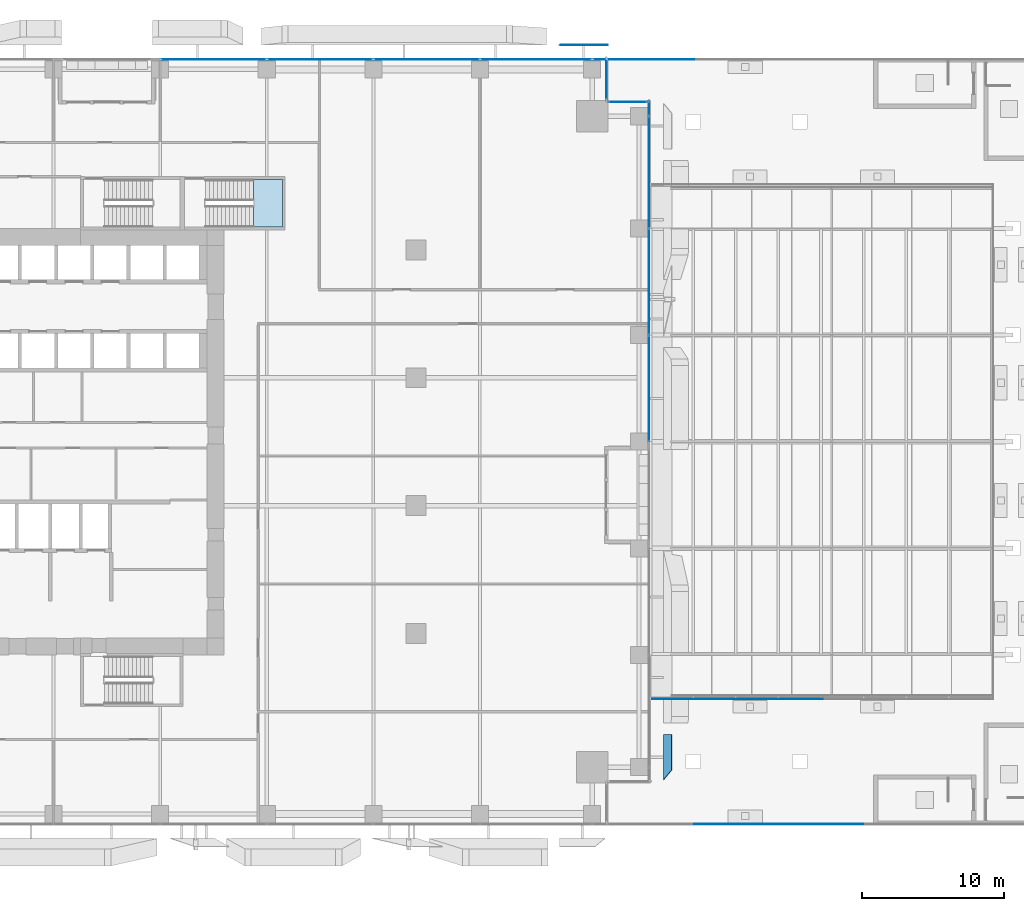
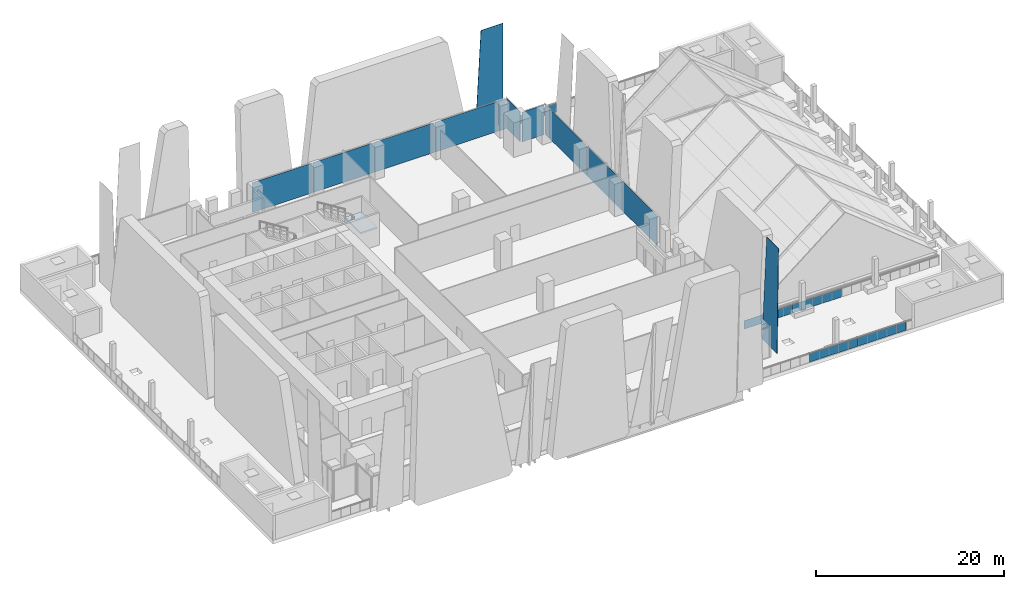
# One storey, part 31 of 46: 18 plates, 1 slab, 5 elements without a shape of their own.
"""IFC4 building model written with IfcOpenShell, lengths in metres."""

from ifc_helpers import new_model, si_unit, direction, frame, origin, origin_2d, place, context, subcontext, project, spatial, polyline, rectangle, outline, extrude, source, transform, mapped, material, layer, layer_set, type_object, element, aggregate, save


model = new_model("IFC4")

# Units and contexts
model_context = context("Model", 3, precision=1e-05, world=origin(), true_north=direction((0.0, 1.0)))
body_context = subcontext(model_context, "Body", "Model", "MODEL_VIEW")
ifc_project = project(units=[si_unit("LENGTHUNIT", "METRE"), si_unit("AREAUNIT", "SQUARE_METRE"), si_unit("VOLUMEUNIT", "CUBIC_METRE"), si_unit("PLANEANGLEUNIT", "RADIAN"), si_unit("MASSUNIT", "GRAM", prefix="KILO")], contexts=[model_context])

# Site, building, storey
site_placement = place(None, origin())
site = spatial("IfcSite", under=ifc_project, at=site_placement, CompositionType="ELEMENT")
building_placement = place(site_placement, origin())
building = spatial("IfcBuilding", under=site, at=building_placement, Name="Khomas Fold Tower", CompositionType="ELEMENT")
storey_placement = place(building_placement, frame((0.0, 0.0, 33.0)))
storey = spatial("IfcBuildingStorey", under=building, at=storey_placement, Name="L06", CompositionType="ELEMENT", Elevation=33.0)

# Plates
ifc_material_1 = material(Name="Clear laminated glass", Category="glass")
ifc_layer_1 = layer(ifc_material_1, 0.0400390625)
ifc_layer_set_1 = layer_set([ifc_layer_1], Name="Clear laminated glass")
plate_type_1 = type_object("IfcPlateType", Name="SK-Clear laminated glass leaf", PredefinedType="SHEET", material=ifc_layer_set_1)
plate_1_placement = place(storey_placement, frame((54.89990234375, 6.39990234375, 0.0), z_axis=(-0.99904235518, 0.0, 0.043753543365), x_axis=(0.0, -1.0, 0.0)))
element("IfcPlate", 1, at=plate_1_placement, inside=storey, type_object=plate_type_1, Name="OUTER SKIN glass L06 EG098-1", PredefinedType="SHEET", context=body_context, shape_type="SweptSolid", body=[
    extrude(outline(polyline([(0.0, 0.0), (3.19970703125, 0.0), (2.513671875, 13.062558119247585), (0.0, 13.062558119247585), (0.0, 0.0)])), origin(), (0.0, 0.0, -1.0), 0.0400390625),
])
plate_2_placement = place(storey_placement, frame((47.600341796875, 54.93994140625, 0.0), z_axis=(0.0, 1.0, 0.0), x_axis=(0.052478427046, 0.0, 0.998622057985)))
element("IfcPlate", 2, at=plate_2_placement, inside=storey, type_object=plate_type_1, Name="OUTER SKIN glass L06 NG107-2", PredefinedType="SHEET", context=body_context, shape_type="SweptSolid", body=[
    extrude(outline(polyline([(0.0, 0.0), (13.068055851333002, 0.0), (13.21047533254429, 2.7101276358800277), (0.17840871499345004, 3.3949736712512943), (0.0, 0.0)])), origin(), (0.0, 0.0, -1.0), 0.0400390625),
])

# Curtain wall, plate
ifc_material_2 = material(Name="Aluminium framed double glazing", Category="aluminium")
curtain_wall_type = type_object("IfcCurtainWallType", Name="SK-Unitised clear-glass wall, growing floors CW1", PredefinedType="NOTDEFINED", material=ifc_material_2)
curtain_wall_1_placement = place(storey_placement, origin())
curtain_wall_1 = element("IfcCurtainWall", 3, at=curtain_wall_1_placement, inside=storey, type_object=curtain_wall_type, Name="CW1 run L06 06-0", PredefinedType="NOTDEFINED")
ifc_material_3 = material(Name="Clear double glazed unit")
ifc_layer_2 = layer(ifc_material_3, 0.031982421875)
ifc_layer_set_2 = layer_set([ifc_layer_2], Name="Clear double glazed unit")
plate_type_2 = type_object("IfcPlateType", Name="SK-Unitised clear-glass wall, growing floors glass panel CW1-P", PredefinedType="CURTAIN_PANEL", material=ifc_layer_set_2)
shared_shape_1 = source(origin(), body_context, "Body", "SweptSolid", [
    extrude(rectangle(XDim=0.81005859375, YDim=0.031982421875, at=origin_2d()), origin(), (0.0, 0.0, 1.0), 3.8798828125),
])
plate_3_placement = place(storey_placement, frame((50.3349609375, 53.89990234375, 0.0), z_axis=(0.0, 0.0, 1.0), x_axis=(-1.0, 0.0, 0.0)))
plate_3 = element("IfcPlate", 4, at=plate_3_placement, type_object=plate_type_2, Name="CW1 glass panel 1", PredefinedType="CURTAIN_PANEL", context=body_context, shape_type="MappedRepresentation", body=[
    mapped(shared_shape_1, transform((0.0, 0.0, 0.0))),
])

curtain_wall_2_placement = place(storey_placement, origin())
curtain_wall_2 = element("IfcCurtainWall", 5, at=curtain_wall_2_placement, inside=storey, type_object=curtain_wall_type, Name="CW1 run L06 03-1", PredefinedType="NOTDEFINED")
shared_shape_2 = source(origin(), body_context, "Body", "SweptSolid", [
    extrude(rectangle(XDim=7.840087890625, YDim=0.031982421875, at=origin_2d()), origin(), (0.0, 0.0, 1.0), 3.8798828125),
])
plate_4_placement = place(storey_placement, frame((53.89990234375, 45.949951171875, 0.0), z_axis=(0.0, 0.0, 1.0), x_axis=(0.0, 1.0, 0.0)))
plate_4 = element("IfcPlate", 6, at=plate_4_placement, type_object=plate_type_2, Name="CW1 glass panel 4", PredefinedType="CURTAIN_PANEL", context=body_context, shape_type="MappedRepresentation", body=[
    mapped(shared_shape_2, transform((0.0, 0.0, 0.0))),
])

# Plate
plate_5_placement = place(storey_placement, frame((45.949951171875, 53.89990234375, 0.0), z_axis=(0.0, 0.0, 1.0), x_axis=(-1.0, 0.0, 0.0)))
plate_5 = element("IfcPlate", 7, at=plate_5_placement, type_object=plate_type_2, Name="CW1 glass panel 2", PredefinedType="CURTAIN_PANEL", context=body_context, shape_type="MappedRepresentation", body=[
    mapped(shared_shape_2, transform((0.0, 0.0, 0.0))),
])

shared_shape_3 = source(origin(), body_context, "Body", "SweptSolid", [
    extrude(rectangle(XDim=7.43994140625, YDim=0.031982421875, at=origin_2d()), origin(), (0.0, 0.0, 1.0), 3.8798828125),
])
plate_6_placement = place(storey_placement, frame((53.89990234375, 30.75, 0.0), z_axis=(0.0, 0.0, 1.0), x_axis=(0.0, 1.0, 0.0)))
plate_6 = element("IfcPlate", 8, at=plate_6_placement, type_object=plate_type_2, Name="CW1 glass panel 2", PredefinedType="CURTAIN_PANEL", context=body_context, shape_type="MappedRepresentation", body=[
    mapped(shared_shape_3, transform((0.0, 0.0, 0.0))),
])

plate_7_placement = place(storey_placement, frame((53.89990234375, 38.25, 0.0), z_axis=(0.0, 0.0, 1.0), x_axis=(0.0, 1.0, 0.0)))
plate_7 = element("IfcPlate", 9, at=plate_7_placement, type_object=plate_type_2, Name="CW1 glass panel 3", PredefinedType="CURTAIN_PANEL", context=body_context, shape_type="MappedRepresentation", body=[
    mapped(shared_shape_3, transform((0.0, 0.0, 0.0))),
])

plate_8_placement = place(storey_placement, frame((38.25, 53.89990234375, 0.0), z_axis=(0.0, 0.0, 1.0), x_axis=(-1.0, 0.0, 0.0)))
plate_8 = element("IfcPlate", 10, at=plate_8_placement, type_object=plate_type_2, Name="CW1 glass panel 3", PredefinedType="CURTAIN_PANEL", context=body_context, shape_type="MappedRepresentation", body=[
    mapped(shared_shape_3, transform((0.0, 0.0, 0.0))),
])

plate_9_placement = place(storey_placement, frame((30.75, 53.89990234375, 0.0), z_axis=(0.0, 0.0, 1.0), x_axis=(-1.0, 0.0, 0.0)))
plate_9 = element("IfcPlate", 11, at=plate_9_placement, type_object=plate_type_2, Name="CW1 glass panel 4", PredefinedType="CURTAIN_PANEL", context=body_context, shape_type="MappedRepresentation", body=[
    mapped(shared_shape_3, transform((0.0, 0.0, 0.0))),
])

plate_10_placement = place(storey_placement, frame((23.25, 53.89990234375, 0.0), z_axis=(0.0, 0.0, 1.0), x_axis=(-1.0, 0.0, 0.0)))
plate_10 = element("IfcPlate", 12, at=plate_10_placement, type_object=plate_type_2, Name="CW1 glass panel 5", PredefinedType="CURTAIN_PANEL", context=body_context, shape_type="MappedRepresentation", body=[
    mapped(shared_shape_3, transform((0.0, 0.0, 0.0))),
])

aggregate(curtain_wall_1, [plate_3, plate_5, plate_8, plate_9, plate_10])

shared_shape_4 = source(origin(), body_context, "Body", "SweptSolid", [
    extrude(rectangle(XDim=1.010009765625, YDim=0.031982421875, at=origin_2d()), origin(), (0.0, 0.0, 1.0), 3.8798828125),
])
plate_11_placement = place(storey_placement, frame((53.89990234375, 50.43505859375, 0.0), z_axis=(0.0, 0.0, 1.0), x_axis=(0.0, 1.0, 0.0)))
plate_11 = element("IfcPlate", 13, at=plate_11_placement, type_object=plate_type_2, Name="CW1 glass panel 5", PredefinedType="CURTAIN_PANEL", context=body_context, shape_type="MappedRepresentation", body=[
    mapped(shared_shape_4, transform((0.0, 0.0, 0.0))),
])

aggregate(curtain_wall_2, [plate_6, plate_7, plate_4, plate_11])

# Curtain wall, plate
curtain_wall_3_placement = place(storey_placement, origin())
curtain_wall_3 = element("IfcCurtainWall", 14, at=curtain_wall_3_placement, inside=storey, type_object=curtain_wall_type, Name="CW1 corner return L06 04", PredefinedType="NOTDEFINED")
shared_shape_5 = source(origin(), body_context, "Body", "SweptSolid", [
    extrude(rectangle(XDim=2.679931640625, YDim=0.031982421875, at=origin_2d()), origin(), (0.0, 0.0, 1.0), 3.8798828125),
])
plate_12_placement = place(storey_placement, frame((52.39990234375, 50.89990234375, 0.0), z_axis=(0.0, 0.0, 1.0), x_axis=(-1.0, 0.0, 0.0)))
plate_12 = element("IfcPlate", 15, at=plate_12_placement, type_object=plate_type_2, Name="CW1 glass panel 1", PredefinedType="CURTAIN_PANEL", context=body_context, shape_type="MappedRepresentation", body=[
    mapped(shared_shape_5, transform((0.0, 0.0, 0.0))),
])
aggregate(curtain_wall_3, [plate_12])

curtain_wall_4_placement = place(storey_placement, origin())
curtain_wall_4 = element("IfcCurtainWall", 16, at=curtain_wall_4_placement, inside=storey, type_object=curtain_wall_type, Name="CW1 corner return L06 05", PredefinedType="NOTDEFINED")
shared_shape_6 = source(origin(), body_context, "Body", "SweptSolid", [
    extrude(rectangle(XDim=2.8798828125, YDim=0.031982421875, at=origin_2d()), origin(), (0.0, 0.0, 1.0), 3.8798828125),
])
plate_13_placement = place(storey_placement, frame((50.89990234375, 52.5, 0.0), z_axis=(0.0, 0.0, 1.0), x_axis=(0.0, 1.0, 0.0)))
plate_13 = element("IfcPlate", 17, at=plate_13_placement, type_object=plate_type_2, Name="CW1 glass panel 1", PredefinedType="CURTAIN_PANEL", context=body_context, shape_type="MappedRepresentation", body=[
    mapped(shared_shape_6, transform((0.0, 0.0, 0.0))),
])
aggregate(curtain_wall_4, [plate_13])

# Plates
ifc_material_4 = material(Name="Laminated toughened glass", Category="glass")
ifc_layer_3 = layer(ifc_material_4, 0.030029296875)
ifc_layer_set_3 = layer_set([ifc_layer_3], Name="Laminated toughened glass")
plate_type_3 = type_object("IfcPlateType", Name="Guard glass infill GD-GI", PredefinedType="SHEET", material=ifc_layer_set_3)
shared_shape_7 = source(origin(), body_context, "Body", "SweptSolid", [
    extrude(rectangle(XDim=5.9580078125, YDim=0.030029296875, at=origin_2d()), origin(), (0.0, 0.0, 1.0), 1.10009765625),
])
for number, where, z_axis, x_axis, name in (
    (18, (66.0048828125, 0.10009765625, 0.0), (0.0, 0.0, 1.0), (-1.0, 0.0, 0.0), "Guard glass infill"),
    (19, (60.047119140625, 0.10009765625, 0.0), (0.0, 0.0, 1.0), (-1.0, 0.0, 0.0), "Guard glass infill"),
    (20, (54.089111328125, 53.89990234375, 0.0), (0.0, 0.0, 1.0), (1.0, 0.0, 0.0), "Guard glass infill"),
):
    element("IfcPlate", number, at=place(storey_placement, frame(where, z_axis=z_axis, x_axis=x_axis)), inside=storey, type_object=plate_type_3, Name=name, PredefinedType="SHEET", context=body_context, shape_type="MappedRepresentation", body=[
        mapped(shared_shape_7, transform((0.0, 0.0, 0.0))),
    ])
shared_shape_8 = source(origin(), body_context, "Body", "SweptSolid", [
    extrude(rectangle(XDim=5.99755859375, YDim=0.030029296875, at=origin_2d()), origin(), (0.0, 0.0, 1.0), 1.10009765625),
])
for number, where, z_axis, x_axis, name in (
    (21, (57.108642578125, 8.89990234375, 0.0), (0.0, 0.0, 1.0), (1.0, 0.0, 0.0), "Guard glass infill"),
    (22, (63.106201171875, 8.89990234375, 0.0), (0.0, 0.0, 1.0), (1.0, 0.0, 0.0), "Guard glass infill"),
):
    element("IfcPlate", number, at=place(storey_placement, frame(where, z_axis=z_axis, x_axis=x_axis)), inside=storey, type_object=plate_type_3, Name=name, PredefinedType="SHEET", context=body_context, shape_type="MappedRepresentation", body=[
        mapped(shared_shape_8, transform((0.0, 0.0, 0.0))),
    ])

# Stair, slab
ifc_material_5 = material(Name="Concrete C40/50", Category="concrete")
stair_type = type_object("IfcStairType", Name="Stair ST3", PredefinedType="HALF_TURN_STAIR", material=ifc_material_5)
stair_placement = place(storey_placement, origin())
stair = element("IfcStair", 23, at=stair_placement, inside=storey, type_object=stair_type, Name="L06 ST3", PredefinedType="HALF_TURN_STAIR")
ifc_material_6 = material(Name="Concrete C40/50", Category="concrete")
ifc_layer_4 = layer(ifc_material_6, 0.199951171875)
ifc_layer_set_4 = layer_set([ifc_layer_4], Name="Concrete C40/50")
slab_type = type_object("IfcSlabType", Name="Stair landing 200", PredefinedType="LANDING", material=ifc_layer_set_4)
shared_shape_9 = source(origin(), body_context, "Body", "SweptSolid", [
    extrude(outline(polyline([(26.06005859375, 42.10009765625), (28.10009765625, 42.10009765625), (28.10009765625, 45.449951171875), (26.06005859375, 45.449951171875), (26.06005859375, 42.10009765625)])), origin(), (0.0, 0.0, 1.0), 0.199951171875),
])
slab_placement = place(storey_placement, frame((0.0, 0.0, 2.050048828125)))
slab = element("IfcSlab", 24, at=slab_placement, type_object=slab_type, Name="ST3 landing 1", PredefinedType="LANDING", context=body_context, shape_type="MappedRepresentation", body=[
    mapped(shared_shape_9, transform((0.0, 0.0, 0.0))),
])
aggregate(stair, [slab])

save(model, "model.ifc")
